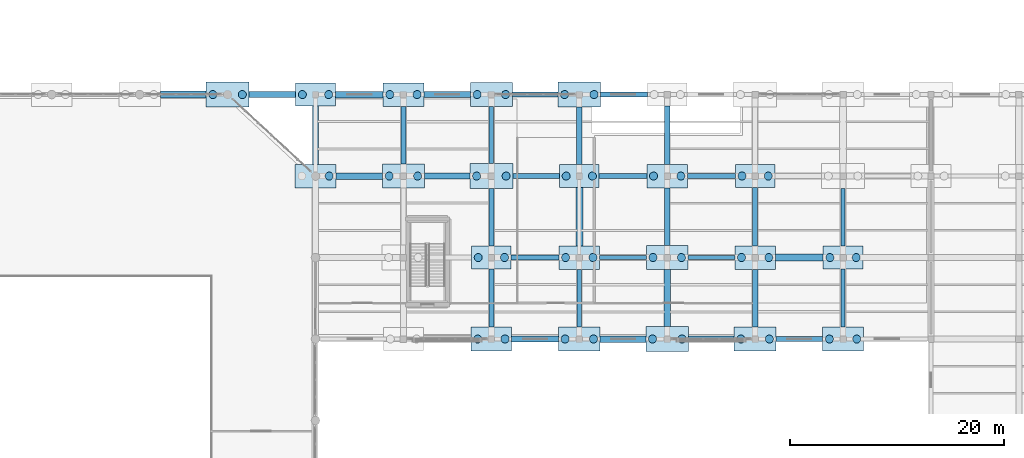
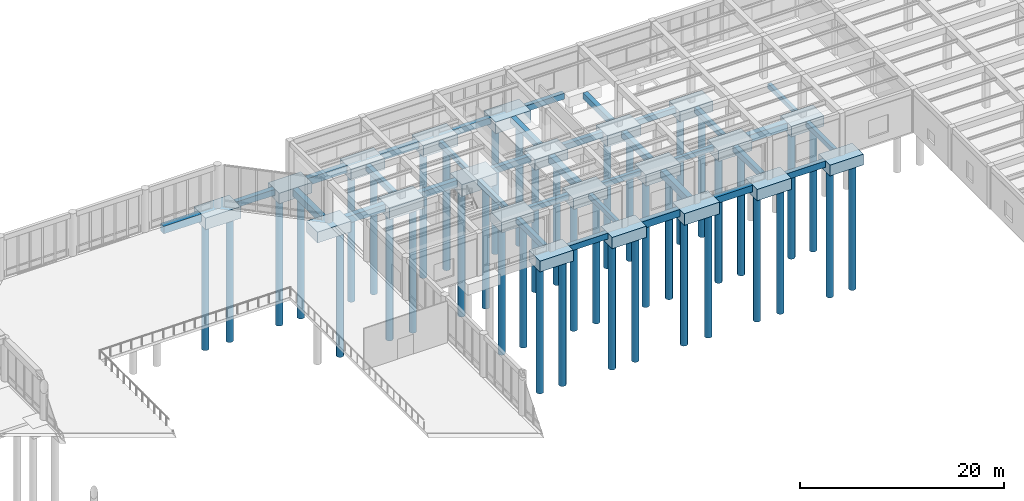
# One storey, part 4 of 64: 55 footings, 41 piles.
"""IFC4 building model written with IfcOpenShell, lengths in metres."""

from ifc_helpers import new_model, si_unit, direction, frame, origin, origin_2d, place, context, subcontext, project, spatial, rectangle, circle, extrude, material, material_profile, profile_set, type_object, element, save


model = new_model("IFC4")

# Units and contexts
model_context = context("Model", 3, precision=1e-05, world=origin(), true_north=direction((0.0, 1.0)))
body_context = subcontext(model_context, "Body", "Model", "MODEL_VIEW")
ifc_project = project(units=[si_unit("LENGTHUNIT", "METRE"), si_unit("AREAUNIT", "SQUARE_METRE"), si_unit("VOLUMEUNIT", "CUBIC_METRE"), si_unit("PLANEANGLEUNIT", "RADIAN"), si_unit("MASSUNIT", "GRAM", prefix="KILO")], contexts=[model_context])

# Site, building, storey
site_placement = place(None, origin())
site = spatial("IfcSite", under=ifc_project, at=site_placement, CompositionType="ELEMENT")
building_placement = place(site_placement, origin())
building = spatial("IfcBuilding", under=site, at=building_placement, Name="Qandaris Square Conservatory and Botanical Centre", CompositionType="ELEMENT")
storey_placement = place(building_placement, origin())
storey = spatial("IfcBuildingStorey", under=building, at=storey_placement, Name="L00", CompositionType="ELEMENT", Elevation=0.0)

# Piles
ifc_material_1 = material(Name="Concrete C50/60", Category="concrete")
ifc_material_profile_1 = material_profile(ifc_material_1, circle(Radius=0.375, at=origin_2d()), Name="PILE D750")
ifc_profile_set_1 = profile_set([ifc_material_profile_1], Name="Concrete C50/60")
pile_type = type_object("IfcPileType", Name="Bored Pile D750", PredefinedType="BORED", material=ifc_profile_set_1)
for number, where, z_axis, x_axis, name in (
    (1, (47.625, 115.39990234375, -1.300048828125), (0.0, 0.0, -1.0), (1.0, 0.0, 0.0), "Bored Pile Q6-1"),
    (2, (50.375, 115.39990234375, -1.300048828125), (0.0, 0.0, -1.0), (1.0, 0.0, 0.0), "Bored Pile Q6-2"),
):
    element("IfcPile", number, at=place(storey_placement, frame(where, z_axis=z_axis, x_axis=x_axis)), inside=storey, type_object=pile_type, Name=name, PredefinedType="BORED", context=body_context, shape_type="SweptSolid", body=[
        extrude(circle(Radius=0.375, at=origin_2d()), origin(), (0.0, 0.0, 1.0), 15.199951171875),
    ])
pile_placement = place(storey_placement, frame((58.47509765625, 107.800048828125, -1.199951171875), z_axis=(0.0, 0.0, -1.0), x_axis=(1.0, 0.0, 0.0)))
element("IfcPile", 3, at=pile_placement, inside=storey, type_object=pile_type, Name="Bored Pile P7-2", PredefinedType="BORED", context=body_context, shape_type="SweptSolid", body=[
    extrude(circle(Radius=0.375, at=origin_2d()), origin(), (0.0, 0.0, 1.0), 15.300048828125),
])
for number, where, z_axis, x_axis, name in (
    (4, (55.97509765625, 115.39990234375, -1.14990234375), (0.0, 0.0, -1.0), (1.0, 0.0, 0.0), "Bored Pile Q7-1"),
    (5, (58.425048828125, 115.39990234375, -1.14990234375), (0.0, 0.0, -1.0), (1.0, 0.0, 0.0), "Bored Pile Q7-2"),
):
    element("IfcPile", number, at=place(storey_placement, frame(where, z_axis=z_axis, x_axis=x_axis)), inside=storey, type_object=pile_type, Name=name, PredefinedType="BORED", context=body_context, shape_type="SweptSolid", body=[
        extrude(circle(Radius=0.375, at=origin_2d()), origin(), (0.0, 0.0, 1.0), 15.35009765625),
    ])
for number, where, z_axis, x_axis, name in (
    (6, (64.074951171875, 107.800048828125, -1.25), (0.0, 0.0, -1.0), (1.0, 0.0, 0.0), "Bored Pile P8-1"),
    (7, (66.72509765625, 107.800048828125, -1.25), (0.0, 0.0, -1.0), (1.0, 0.0, 0.0), "Bored Pile P8-2"),
):
    element("IfcPile", number, at=place(storey_placement, frame(where, z_axis=z_axis, x_axis=x_axis)), inside=storey, type_object=pile_type, Name=name, PredefinedType="BORED", context=body_context, shape_type="SweptSolid", body=[
        extrude(circle(Radius=0.375, at=origin_2d()), origin(), (0.0, 0.0, 1.0), 15.25),
    ])
for number, where, z_axis, x_axis, name in (
    (8, (64.125, 115.39990234375, -1.199951171875), (0.0, 0.0, -1.0), (1.0, 0.0, 0.0), "Bored Pile Q8-1"),
    (9, (66.675048828125, 115.39990234375, -1.199951171875), (0.0, 0.0, -1.0), (1.0, 0.0, 0.0), "Bored Pile Q8-2"),
    (10, (72.324951171875, 92.60009765625, -1.199951171875), (0.0, 0.0, -1.0), (1.0, 0.0, 0.0), "Bored Pile M9-1"),
    (11, (74.875, 92.60009765625, -1.199951171875), (0.0, 0.0, -1.0), (1.0, 0.0, 0.0), "Bored Pile M9-2"),
):
    element("IfcPile", number, at=place(storey_placement, frame(where, z_axis=z_axis, x_axis=x_axis)), inside=storey, type_object=pile_type, Name=name, PredefinedType="BORED", context=body_context, shape_type="SweptSolid", body=[
        extrude(circle(Radius=0.375, at=origin_2d()), origin(), (0.0, 0.0, 1.0), 15.300048828125),
    ])
for number, where, z_axis, x_axis, name in (
    (12, (72.375, 100.199951171875, -1.14990234375), (0.0, 0.0, -1.0), (1.0, 0.0, 0.0), "Bored Pile N9-1"),
    (13, (74.824951171875, 100.199951171875, -1.14990234375), (0.0, 0.0, -1.0), (1.0, 0.0, 0.0), "Bored Pile N9-2"),
):
    element("IfcPile", number, at=place(storey_placement, frame(where, z_axis=z_axis, x_axis=x_axis)), inside=storey, type_object=pile_type, Name=name, PredefinedType="BORED", context=body_context, shape_type="SweptSolid", body=[
        extrude(circle(Radius=0.375, at=origin_2d()), origin(), (0.0, 0.0, 1.0), 15.35009765625),
    ])
for number, where, z_axis, x_axis, name in (
    (14, (72.22509765625, 107.800048828125, -1.300048828125), (0.0, 0.0, -1.0), (1.0, 0.0, 0.0), "Bored Pile P9-1"),
    (15, (74.97509765625, 107.800048828125, -1.300048828125), (0.0, 0.0, -1.0), (1.0, 0.0, 0.0), "Bored Pile P9-2"),
):
    element("IfcPile", number, at=place(storey_placement, frame(where, z_axis=z_axis, x_axis=x_axis)), inside=storey, type_object=pile_type, Name=name, PredefinedType="BORED", context=body_context, shape_type="SweptSolid", body=[
        extrude(circle(Radius=0.375, at=origin_2d()), origin(), (0.0, 0.0, 1.0), 15.199951171875),
    ])
for number, where, z_axis, x_axis, name in (
    (16, (72.27490234375, 115.39990234375, -1.25), (0.0, 0.0, -1.0), (1.0, 0.0, 0.0), "Bored Pile Q9-1"),
    (17, (74.925048828125, 115.39990234375, -1.25), (0.0, 0.0, -1.0), (1.0, 0.0, 0.0), "Bored Pile Q9-2"),
    (18, (80.47509765625, 92.60009765625, -1.25), (0.0, 0.0, -1.0), (1.0, 0.0, 0.0), "Bored Pile M10-1"),
    (19, (83.125, 92.60009765625, -1.25), (0.0, 0.0, -1.0), (1.0, 0.0, 0.0), "Bored Pile M10-2"),
):
    element("IfcPile", number, at=place(storey_placement, frame(where, z_axis=z_axis, x_axis=x_axis)), inside=storey, type_object=pile_type, Name=name, PredefinedType="BORED", context=body_context, shape_type="SweptSolid", body=[
        extrude(circle(Radius=0.375, at=origin_2d()), origin(), (0.0, 0.0, 1.0), 15.25),
    ])
for number, where, z_axis, x_axis, name in (
    (20, (80.52490234375, 100.199951171875, -1.199951171875), (0.0, 0.0, -1.0), (1.0, 0.0, 0.0), "Bored Pile N10-1"),
    (21, (83.074951171875, 100.199951171875, -1.199951171875), (0.0, 0.0, -1.0), (1.0, 0.0, 0.0), "Bored Pile N10-2"),
):
    element("IfcPile", number, at=place(storey_placement, frame(where, z_axis=z_axis, x_axis=x_axis)), inside=storey, type_object=pile_type, Name=name, PredefinedType="BORED", context=body_context, shape_type="SweptSolid", body=[
        extrude(circle(Radius=0.375, at=origin_2d()), origin(), (0.0, 0.0, 1.0), 15.300048828125),
    ])
for number, where, z_axis, x_axis, name in (
    (22, (80.574951171875, 107.800048828125, -1.14990234375), (0.0, 0.0, -1.0), (1.0, 0.0, 0.0), "Bored Pile P10-1"),
    (23, (83.02490234375, 107.800048828125, -1.14990234375), (0.0, 0.0, -1.0), (1.0, 0.0, 0.0), "Bored Pile P10-2"),
):
    element("IfcPile", number, at=place(storey_placement, frame(where, z_axis=z_axis, x_axis=x_axis)), inside=storey, type_object=pile_type, Name=name, PredefinedType="BORED", context=body_context, shape_type="SweptSolid", body=[
        extrude(circle(Radius=0.375, at=origin_2d()), origin(), (0.0, 0.0, 1.0), 15.35009765625),
    ])
for number, where, z_axis, x_axis, name in (
    (24, (80.425048828125, 115.39990234375, -1.300048828125), (0.0, 0.0, -1.0), (1.0, 0.0, 0.0), "Bored Pile Q10-1"),
    (25, (83.175048828125, 115.39990234375, -1.300048828125), (0.0, 0.0, -1.0), (1.0, 0.0, 0.0), "Bored Pile Q10-2"),
    (26, (88.625, 92.60009765625, -1.300048828125), (0.0, 0.0, -1.0), (1.0, 0.0, 0.0), "Bored Pile M11-1"),
    (27, (91.375, 92.60009765625, -1.300048828125), (0.0, 0.0, -1.0), (1.0, 0.0, 0.0), "Bored Pile M11-2"),
):
    element("IfcPile", number, at=place(storey_placement, frame(where, z_axis=z_axis, x_axis=x_axis)), inside=storey, type_object=pile_type, Name=name, PredefinedType="BORED", context=body_context, shape_type="SweptSolid", body=[
        extrude(circle(Radius=0.375, at=origin_2d()), origin(), (0.0, 0.0, 1.0), 15.199951171875),
    ])
for number, where, z_axis, x_axis, name in (
    (28, (88.675048828125, 100.199951171875, -1.25), (0.0, 0.0, -1.0), (1.0, 0.0, 0.0), "Bored Pile N11-1"),
    (29, (91.324951171875, 100.199951171875, -1.25), (0.0, 0.0, -1.0), (1.0, 0.0, 0.0), "Bored Pile N11-2"),
):
    element("IfcPile", number, at=place(storey_placement, frame(where, z_axis=z_axis, x_axis=x_axis)), inside=storey, type_object=pile_type, Name=name, PredefinedType="BORED", context=body_context, shape_type="SweptSolid", body=[
        extrude(circle(Radius=0.375, at=origin_2d()), origin(), (0.0, 0.0, 1.0), 15.25),
    ])
for number, where, z_axis, x_axis, name in (
    (30, (88.72509765625, 107.800048828125, -1.199951171875), (0.0, 0.0, -1.0), (1.0, 0.0, 0.0), "Bored Pile P11-1"),
    (31, (91.27490234375, 107.800048828125, -1.199951171875), (0.0, 0.0, -1.0), (1.0, 0.0, 0.0), "Bored Pile P11-2"),
):
    element("IfcPile", number, at=place(storey_placement, frame(where, z_axis=z_axis, x_axis=x_axis)), inside=storey, type_object=pile_type, Name=name, PredefinedType="BORED", context=body_context, shape_type="SweptSolid", body=[
        extrude(circle(Radius=0.375, at=origin_2d()), origin(), (0.0, 0.0, 1.0), 15.300048828125),
    ])
for number, where, z_axis, x_axis, name in (
    (32, (96.875, 92.60009765625, -1.25), (0.0, 0.0, -1.0), (1.0, 0.0, 0.0), "Bored Pile M12-1"),
    (33, (99.52490234375, 92.60009765625, -1.25), (0.0, 0.0, -1.0), (1.0, 0.0, 0.0), "Bored Pile M12-2"),
):
    element("IfcPile", number, at=place(storey_placement, frame(where, z_axis=z_axis, x_axis=x_axis)), inside=storey, type_object=pile_type, Name=name, PredefinedType="BORED", context=body_context, shape_type="SweptSolid", body=[
        extrude(circle(Radius=0.375, at=origin_2d()), origin(), (0.0, 0.0, 1.0), 15.25),
    ])
for number, where, z_axis, x_axis, name in (
    (34, (96.925048828125, 100.199951171875, -1.199951171875), (0.0, 0.0, -1.0), (1.0, 0.0, 0.0), "Bored Pile N12-1"),
    (35, (99.47509765625, 100.199951171875, -1.199951171875), (0.0, 0.0, -1.0), (1.0, 0.0, 0.0), "Bored Pile N12-2"),
):
    element("IfcPile", number, at=place(storey_placement, frame(where, z_axis=z_axis, x_axis=x_axis)), inside=storey, type_object=pile_type, Name=name, PredefinedType="BORED", context=body_context, shape_type="SweptSolid", body=[
        extrude(circle(Radius=0.375, at=origin_2d()), origin(), (0.0, 0.0, 1.0), 15.300048828125),
    ])
for number, where, z_axis, x_axis, name in (
    (36, (96.97509765625, 107.800048828125, -1.14990234375), (0.0, 0.0, -1.0), (1.0, 0.0, 0.0), "Bored Pile P12-1"),
    (37, (99.425048828125, 107.800048828125, -1.14990234375), (0.0, 0.0, -1.0), (1.0, 0.0, 0.0), "Bored Pile P12-2"),
):
    element("IfcPile", number, at=place(storey_placement, frame(where, z_axis=z_axis, x_axis=x_axis)), inside=storey, type_object=pile_type, Name=name, PredefinedType="BORED", context=body_context, shape_type="SweptSolid", body=[
        extrude(circle(Radius=0.375, at=origin_2d()), origin(), (0.0, 0.0, 1.0), 15.35009765625),
    ])
for number, where, z_axis, x_axis, name in (
    (38, (105.125, 92.60009765625, -1.199951171875), (0.0, 0.0, -1.0), (1.0, 0.0, 0.0), "Bored Pile M13-1"),
    (39, (107.675048828125, 92.60009765625, -1.199951171875), (0.0, 0.0, -1.0), (1.0, 0.0, 0.0), "Bored Pile M13-2"),
):
    element("IfcPile", number, at=place(storey_placement, frame(where, z_axis=z_axis, x_axis=x_axis)), inside=storey, type_object=pile_type, Name=name, PredefinedType="BORED", context=body_context, shape_type="SweptSolid", body=[
        extrude(circle(Radius=0.375, at=origin_2d()), origin(), (0.0, 0.0, 1.0), 15.300048828125),
    ])
for number, where, z_axis, x_axis, name in (
    (40, (105.175048828125, 100.199951171875, -1.14990234375), (0.0, 0.0, -1.0), (1.0, 0.0, 0.0), "Bored Pile N13-1"),
    (41, (107.625, 100.199951171875, -1.14990234375), (0.0, 0.0, -1.0), (1.0, 0.0, 0.0), "Bored Pile N13-2"),
):
    element("IfcPile", number, at=place(storey_placement, frame(where, z_axis=z_axis, x_axis=x_axis)), inside=storey, type_object=pile_type, Name=name, PredefinedType="BORED", context=body_context, shape_type="SweptSolid", body=[
        extrude(circle(Radius=0.375, at=origin_2d()), origin(), (0.0, 0.0, 1.0), 15.35009765625),
    ])

# Footings
ifc_material_2 = material(Name="Concrete C40/50", Category="concrete")
ifc_material_profile_2 = material_profile(ifc_material_2, rectangle(XDim=0.60009765625, YDim=0.85009765625, at=origin_2d()), Name="FB 600x850")
ifc_profile_set_2 = profile_set([ifc_material_profile_2], Name="Concrete C40/50")
footing_type_1 = type_object("IfcFootingType", Name="RC Ground Tie Beam FB-01", PredefinedType="FOOTING_BEAM", material=ifc_profile_set_2)
footing_1_placement = place(storey_placement, frame((83.75, 92.60009765625, -0.425048828125), z_axis=(1.0, 0.0, 0.0), x_axis=(0.0, 1.0, 0.0)))
element("IfcFooting", 42, at=footing_1_placement, inside=storey, type_object=footing_type_1, Name="Ground Tie Beam FB-01-231", PredefinedType="FOOTING_BEAM", context=body_context, shape_type="SweptSolid", body=[
    extrude(rectangle(XDim=0.60009765625, YDim=0.85009765625, at=origin_2d()), origin(), (0.0, 0.0, 1.0), 4.25),
])
footing_2_placement = place(storey_placement, frame((59.10009765625, 107.800048828125, -0.425048828125), z_axis=(1.0, 0.0, 0.0), x_axis=(0.0, 1.0, 0.0)))
element("IfcFooting", 43, at=footing_2_placement, inside=storey, type_object=footing_type_1, Name="Ground Tie Beam FB-01-241", PredefinedType="FOOTING_BEAM", context=body_context, shape_type="SweptSolid", body=[
    extrude(rectangle(XDim=0.60009765625, YDim=0.85009765625, at=origin_2d()), origin(), (0.0, 0.0, 1.0), 4.349853515625),
])
footing_3_placement = place(storey_placement, frame((59.050048828125, 115.39990234375, -0.425048828125), z_axis=(1.0, 0.0, 0.0), x_axis=(0.0, 1.0, 0.0)))
element("IfcFooting", 44, at=footing_3_placement, inside=storey, type_object=footing_type_1, Name="Ground Tie Beam FB-01-261", PredefinedType="FOOTING_BEAM", context=body_context, shape_type="SweptSolid", body=[
    extrude(rectangle(XDim=0.60009765625, YDim=0.85009765625, at=origin_2d()), origin(), (0.0, 0.0, 1.0), 4.449951171875),
])
footing_4_placement = place(storey_placement, frame((57.199951171875, 108.89990234375, -0.425048828125), z_axis=(0.0, 1.0, 0.0), x_axis=(-1.0, 0.0, 0.0)))
element("IfcFooting", 45, at=footing_4_placement, inside=storey, type_object=footing_type_1, Name="Ground Tie Beam FB-01-321", PredefinedType="FOOTING_BEAM", context=body_context, shape_type="SweptSolid", body=[
    extrude(rectangle(XDim=0.60009765625, YDim=0.85009765625, at=origin_2d()), origin(), (0.0, 0.0, 1.0), 5.425048828125),
])
footing_5_placement = place(storey_placement, frame((90.0, 93.75, -0.425048828125), z_axis=(0.0, 1.0, 0.0), x_axis=(-1.0, 0.0, 0.0)))
element("IfcFooting", 46, at=footing_5_placement, inside=storey, type_object=footing_type_1, Name="Ground Tie Beam FB-01-331", PredefinedType="FOOTING_BEAM", context=body_context, shape_type="SweptSolid", body=[
    extrude(rectangle(XDim=0.60009765625, YDim=0.85009765625, at=origin_2d()), origin(), (0.0, 0.0, 1.0), 5.324951171875),
])
ifc_material_profile_3 = material_profile(ifc_material_2, rectangle(XDim=0.550048828125, YDim=0.800048828125, at=origin_2d()), Name="FB 550x800")
ifc_profile_set_3 = profile_set([ifc_material_profile_3], Name="Concrete C40/50")
footing_type_2 = type_object("IfcFootingType", Name="RC Ground Tie Beam FB-02", PredefinedType="FOOTING_BEAM", material=ifc_profile_set_3)
for number, where, z_axis, x_axis, name in (
    (47, (92.0, 92.60009765625, -0.39990234375), (1.0, 0.0, 0.0), (0.0, 1.0, 0.0), "Ground Tie Beam FB-02-232"),
    (48, (67.35009765625, 107.800048828125, -0.39990234375), (1.0, 0.0, 0.0), (0.0, 1.0, 0.0), "Ground Tie Beam FB-02-242"),
):
    element("IfcFooting", number, at=place(storey_placement, frame(where, z_axis=z_axis, x_axis=x_axis)), inside=storey, type_object=footing_type_2, Name=name, PredefinedType="FOOTING_BEAM", context=body_context, shape_type="SweptSolid", body=[
        extrude(rectangle(XDim=0.550048828125, YDim=0.800048828125, at=origin_2d()), origin(), (0.0, 0.0, 1.0), 4.25),
    ])
footing_6_placement = place(storey_placement, frame((67.300048828125, 115.39990234375, -0.39990234375), z_axis=(1.0, 0.0, 0.0), x_axis=(0.0, 1.0, 0.0)))
element("IfcFooting", 49, at=footing_6_placement, inside=storey, type_object=footing_type_2, Name="Ground Tie Beam FB-02-262", PredefinedType="FOOTING_BEAM", context=body_context, shape_type="SweptSolid", body=[
    extrude(rectangle(XDim=0.550048828125, YDim=0.800048828125, at=origin_2d()), origin(), (0.0, 0.0, 1.0), 4.349853515625),
])
footing_7_placement = place(storey_placement, frame((90.0, 101.324951171875, -0.39990234375), z_axis=(0.0, 1.0, 0.0), x_axis=(-1.0, 0.0, 0.0)))
element("IfcFooting", 50, at=footing_7_placement, inside=storey, type_object=footing_type_2, Name="Ground Tie Beam FB-02-332", PredefinedType="FOOTING_BEAM", context=body_context, shape_type="SweptSolid", body=[
    extrude(rectangle(XDim=0.550048828125, YDim=0.800048828125, at=origin_2d()), origin(), (0.0, 0.0, 1.0), 5.375),
])
ifc_material_profile_4 = material_profile(ifc_material_2, rectangle(XDim=0.5, YDim=0.75, at=origin_2d()), Name="FB 500x750")
ifc_profile_set_4 = profile_set([ifc_material_profile_4], Name="Concrete C40/50")
footing_type_3 = type_object("IfcFootingType", Name="RC Ground Tie Beam FB-03", PredefinedType="FOOTING_BEAM", material=ifc_profile_set_4)
footing_8_placement = place(storey_placement, frame((100.14990234375, 92.60009765625, -0.375), z_axis=(1.0, 0.0, 0.0), x_axis=(0.0, 1.0, 0.0)))
element("IfcFooting", 51, at=footing_8_placement, inside=storey, type_object=footing_type_3, Name="Ground Tie Beam FB-03-233", PredefinedType="FOOTING_BEAM", context=body_context, shape_type="SweptSolid", body=[
    extrude(rectangle(XDim=0.5, YDim=0.75, at=origin_2d()), origin(), (0.0, 0.0, 1.0), 4.35009765625),
])
footing_9_placement = place(storey_placement, frame((75.60009765625, 107.800048828125, -0.375), z_axis=(1.0, 0.0, 0.0), x_axis=(0.0, 1.0, 0.0)))
element("IfcFooting", 52, at=footing_9_placement, inside=storey, type_object=footing_type_3, Name="Ground Tie Beam FB-03-243", PredefinedType="FOOTING_BEAM", context=body_context, shape_type="SweptSolid", body=[
    extrude(rectangle(XDim=0.5, YDim=0.75, at=origin_2d()), origin(), (0.0, 0.0, 1.0), 4.349853515625),
])
footing_10_placement = place(storey_placement, frame((75.550048828125, 115.39990234375, -0.375), z_axis=(1.0, 0.0, 0.0), x_axis=(0.0, 1.0, 0.0)))
element("IfcFooting", 53, at=footing_10_placement, inside=storey, type_object=footing_type_3, Name="Ground Tie Beam FB-03-263", PredefinedType="FOOTING_BEAM", context=body_context, shape_type="SweptSolid", body=[
    extrude(rectangle(XDim=0.5, YDim=0.75, at=origin_2d()), origin(), (0.0, 0.0, 1.0), 4.25),
])
footing_11_placement = place(storey_placement, frame((90.0, 108.89990234375, -0.375), z_axis=(0.0, 1.0, 0.0), x_axis=(-1.0, 0.0, 0.0)))
element("IfcFooting", 54, at=footing_11_placement, inside=storey, type_object=footing_type_3, Name="Ground Tie Beam FB-03-333", PredefinedType="FOOTING_BEAM", context=body_context, shape_type="SweptSolid", body=[
    extrude(rectangle(XDim=0.5, YDim=0.75, at=origin_2d()), origin(), (0.0, 0.0, 1.0), 5.425048828125),
])
ifc_material_profile_5 = material_profile(ifc_material_2, rectangle(XDim=0.5, YDim=0.699951171875, at=origin_2d()), Name="FB 500x700")
ifc_profile_set_5 = profile_set([ifc_material_profile_5], Name="Concrete C40/50")
footing_type_4 = type_object("IfcFootingType", Name="RC Ground Tie Beam FB-04", PredefinedType="FOOTING_BEAM", material=ifc_profile_set_5)
footing_12_placement = place(storey_placement, frame((83.64990234375, 107.800048828125, -0.35009765625), z_axis=(1.0, 0.0, 0.0), x_axis=(0.0, 1.0, 0.0)))
element("IfcFooting", 55, at=footing_12_placement, inside=storey, type_object=footing_type_4, Name="Ground Tie Beam FB-04-244", PredefinedType="FOOTING_BEAM", context=body_context, shape_type="SweptSolid", body=[
    extrude(rectangle(XDim=0.5, YDim=0.699951171875, at=origin_2d()), origin(), (0.0, 0.0, 1.0), 4.4501953125),
])
footing_13_placement = place(storey_placement, frame((83.800048828125, 115.39990234375, -0.35009765625), z_axis=(1.0, 0.0, 0.0), x_axis=(0.0, 1.0, 0.0)))
element("IfcFooting", 56, at=footing_13_placement, inside=storey, type_object=footing_type_4, Name="Ground Tie Beam FB-04-264", PredefinedType="FOOTING_BEAM", context=body_context, shape_type="SweptSolid", body=[
    extrude(rectangle(XDim=0.5, YDim=0.699951171875, at=origin_2d()), origin(), (0.0, 0.0, 1.0), 4.349853515625),
])
for number, where, z_axis, x_axis, name in (
    (57, (65.39990234375, 108.925048828125, -0.35009765625), (0.0, 1.0, 0.0), (-1.0, 0.0, 0.0), "Ground Tie Beam FB-04-324"),
    (58, (98.199951171875, 93.72509765625, -0.35009765625), (0.0, 1.0, 0.0), (-1.0, 0.0, 0.0), "Ground Tie Beam FB-04-334"),
):
    element("IfcFooting", number, at=place(storey_placement, frame(where, z_axis=z_axis, x_axis=x_axis)), inside=storey, type_object=footing_type_4, Name=name, PredefinedType="FOOTING_BEAM", context=body_context, shape_type="SweptSolid", body=[
        extrude(rectangle(XDim=0.5, YDim=0.699951171875, at=origin_2d()), origin(), (0.0, 0.0, 1.0), 5.375),
    ])
ifc_material_profile_6 = material_profile(ifc_material_2, rectangle(XDim=0.449951171875, YDim=0.64990234375, at=origin_2d()), Name="FB 450x650")
ifc_profile_set_6 = profile_set([ifc_material_profile_6], Name="Concrete C40/50")
footing_type_5 = type_object("IfcFootingType", Name="RC Ground Tie Beam FB-05", PredefinedType="FOOTING_BEAM", material=ifc_profile_set_6)
footing_14_placement = place(storey_placement, frame((91.89990234375, 107.800048828125, -0.324951171875), z_axis=(1.0, 0.0, 0.0), x_axis=(0.0, 1.0, 0.0)))
element("IfcFooting", 59, at=footing_14_placement, inside=storey, type_object=footing_type_5, Name="Ground Tie Beam FB-05-245", PredefinedType="FOOTING_BEAM", context=body_context, shape_type="SweptSolid", body=[
    extrude(rectangle(XDim=0.449951171875, YDim=0.64990234375, at=origin_2d()), origin(), (0.0, 0.0, 1.0), 4.4501953125),
])
for number, where, z_axis, x_axis, name in (
    (60, (73.60009765625, 93.699951171875, -0.324951171875), (0.0, 1.0, 0.0), (-1.0, 0.0, 0.0), "Ground Tie Beam FB-05-325"),
    (61, (98.199951171875, 101.300048828125, -0.324951171875), (0.0, 1.0, 0.0), (-1.0, 0.0, 0.0), "Ground Tie Beam FB-05-335"),
):
    element("IfcFooting", number, at=place(storey_placement, frame(where, z_axis=z_axis, x_axis=x_axis)), inside=storey, type_object=footing_type_5, Name=name, PredefinedType="FOOTING_BEAM", context=body_context, shape_type="SweptSolid", body=[
        extrude(rectangle(XDim=0.449951171875, YDim=0.64990234375, at=origin_2d()), origin(), (0.0, 0.0, 1.0), 5.425048828125),
    ])
ifc_material_profile_7 = material_profile(ifc_material_2, rectangle(XDim=0.449951171875, YDim=0.60009765625, at=origin_2d()), Name="FB 450x600")
ifc_profile_set_7 = profile_set([ifc_material_profile_7], Name="Concrete C40/50")
footing_type_6 = type_object("IfcFootingType", Name="RC Ground Tie Beam FB-06", PredefinedType="FOOTING_BEAM", material=ifc_profile_set_7)
footing_15_placement = place(storey_placement, frame((75.449951171875, 100.199951171875, -0.300048828125), z_axis=(1.0, 0.0, 0.0), x_axis=(0.0, 1.0, 0.0)))
element("IfcFooting", 62, at=footing_15_placement, inside=storey, type_object=footing_type_6, Name="Ground Tie Beam FB-06-236", PredefinedType="FOOTING_BEAM", context=body_context, shape_type="SweptSolid", body=[
    extrude(rectangle(XDim=0.449951171875, YDim=0.60009765625, at=origin_2d()), origin(), (0.0, 0.0, 1.0), 4.449951171875),
])
footing_16_placement = place(storey_placement, frame((73.60009765625, 101.27490234375, -0.300048828125), z_axis=(0.0, 1.0, 0.0), x_axis=(-1.0, 0.0, 0.0)))
element("IfcFooting", 63, at=footing_16_placement, inside=storey, type_object=footing_type_6, Name="Ground Tie Beam FB-06-326", PredefinedType="FOOTING_BEAM", context=body_context, shape_type="SweptSolid", body=[
    extrude(rectangle(XDim=0.449951171875, YDim=0.60009765625, at=origin_2d()), origin(), (0.0, 0.0, 1.0), 5.375),
])
ifc_material_profile_8 = material_profile(ifc_material_2, rectangle(XDim=0.39990234375, YDim=0.60009765625, at=origin_2d()), Name="FB 400x600")
ifc_profile_set_8 = profile_set([ifc_material_profile_8], Name="Concrete C40/50")
footing_type_7 = type_object("IfcFootingType", Name="RC Ground Tie Beam FB-07", PredefinedType="FOOTING_BEAM", material=ifc_profile_set_8)
footing_17_placement = place(storey_placement, frame((83.699951171875, 100.199951171875, -0.300048828125), z_axis=(1.0, 0.0, 0.0), x_axis=(0.0, 1.0, 0.0)))
element("IfcFooting", 64, at=footing_17_placement, inside=storey, type_object=footing_type_7, Name="Ground Tie Beam FB-07-237", PredefinedType="FOOTING_BEAM", context=body_context, shape_type="SweptSolid", body=[
    extrude(rectangle(XDim=0.39990234375, YDim=0.60009765625, at=origin_2d()), origin(), (0.0, 0.0, 1.0), 4.35009765625),
])
footing_18_placement = place(storey_placement, frame((73.60009765625, 108.949951171875, -0.300048828125), z_axis=(0.0, 1.0, 0.0), x_axis=(-1.0, 0.0, 0.0)))
element("IfcFooting", 65, at=footing_18_placement, inside=storey, type_object=footing_type_7, Name="Ground Tie Beam FB-07-327", PredefinedType="FOOTING_BEAM", context=body_context, shape_type="SweptSolid", body=[
    extrude(rectangle(XDim=0.39990234375, YDim=0.60009765625, at=origin_2d()), origin(), (0.0, 0.0, 1.0), 5.324951171875),
])
footing_19_placement = place(storey_placement, frame((106.39990234375, 93.699951171875, -0.300048828125), z_axis=(0.0, 1.0, 0.0), x_axis=(-1.0, 0.0, 0.0)))
element("IfcFooting", 66, at=footing_19_placement, inside=storey, type_object=footing_type_7, Name="Ground Tie Beam FB-07-337", PredefinedType="FOOTING_BEAM", context=body_context, shape_type="SweptSolid", body=[
    extrude(rectangle(XDim=0.39990234375, YDim=0.60009765625, at=origin_2d()), origin(), (0.0, 0.0, 1.0), 5.425048828125),
])
ifc_material_profile_9 = material_profile(ifc_material_2, rectangle(XDim=0.39990234375, YDim=0.550048828125, at=origin_2d()), Name="FB 400x550")
ifc_profile_set_9 = profile_set([ifc_material_profile_9], Name="Concrete C40/50")
footing_type_8 = type_object("IfcFootingType", Name="RC Ground Tie Beam FB-08", PredefinedType="FOOTING_BEAM", material=ifc_profile_set_9)
footing_20_placement = place(storey_placement, frame((91.949951171875, 100.199951171875, -0.27490234375), z_axis=(1.0, 0.0, 0.0), x_axis=(0.0, 1.0, 0.0)))
element("IfcFooting", 67, at=footing_20_placement, inside=storey, type_object=footing_type_8, Name="Ground Tie Beam FB-08-238", PredefinedType="FOOTING_BEAM", context=body_context, shape_type="SweptSolid", body=[
    extrude(rectangle(XDim=0.39990234375, YDim=0.550048828125, at=origin_2d()), origin(), (0.0, 0.0, 1.0), 4.35009765625),
])
for number, where, z_axis, x_axis, name in (
    (68, (81.800048828125, 93.72509765625, -0.27490234375), (0.0, 1.0, 0.0), (-1.0, 0.0, 0.0), "Ground Tie Beam FB-08-328"),
    (69, (106.39990234375, 101.27490234375, -0.27490234375), (0.0, 1.0, 0.0), (-1.0, 0.0, 0.0), "Ground Tie Beam FB-08-338"),
):
    element("IfcFooting", number, at=place(storey_placement, frame(where, z_axis=z_axis, x_axis=x_axis)), inside=storey, type_object=footing_type_8, Name=name, PredefinedType="FOOTING_BEAM", context=body_context, shape_type="SweptSolid", body=[
        extrude(rectangle(XDim=0.39990234375, YDim=0.550048828125, at=origin_2d()), origin(), (0.0, 0.0, 1.0), 5.375),
    ])
ifc_material_profile_10 = material_profile(ifc_material_2, rectangle(XDim=0.64990234375, YDim=0.89990234375, at=origin_2d()), Name="FB 650x900")
ifc_profile_set_10 = profile_set([ifc_material_profile_10], Name="Concrete C40/50")
footing_type_9 = type_object("IfcFootingType", Name="RC Ground Tie Beam FB-09", PredefinedType="FOOTING_BEAM", material=ifc_profile_set_10)
footing_21_placement = place(storey_placement, frame((100.10009765625, 100.199951171875, -0.449951171875), z_axis=(1.0, 0.0, 0.0), x_axis=(0.0, 1.0, 0.0)))
element("IfcFooting", 70, at=footing_21_placement, inside=storey, type_object=footing_type_9, Name="Ground Tie Beam FB-09-239", PredefinedType="FOOTING_BEAM", context=body_context, shape_type="SweptSolid", body=[
    extrude(rectangle(XDim=0.64990234375, YDim=0.89990234375, at=origin_2d()), origin(), (0.0, 0.0, 1.0), 4.449951171875),
])
footing_22_placement = place(storey_placement, frame((42.75, 115.39990234375, -0.449951171875), z_axis=(1.0, 0.0, 0.0), x_axis=(0.0, 1.0, 0.0)))
element("IfcFooting", 71, at=footing_22_placement, inside=storey, type_object=footing_type_9, Name="Ground Tie Beam FB-09-259", PredefinedType="FOOTING_BEAM", context=body_context, shape_type="SweptSolid", body=[
    extrude(rectangle(XDim=0.64990234375, YDim=0.89990234375, at=origin_2d()), origin(), (0.0, 0.0, 1.0), 4.25),
])
footing_23_placement = place(storey_placement, frame((81.800048828125, 101.300048828125, -0.449951171875), z_axis=(0.0, 1.0, 0.0), x_axis=(-1.0, 0.0, 0.0)))
element("IfcFooting", 72, at=footing_23_placement, inside=storey, type_object=footing_type_9, Name="Ground Tie Beam FB-09-329", PredefinedType="FOOTING_BEAM", context=body_context, shape_type="SweptSolid", body=[
    extrude(rectangle(XDim=0.64990234375, YDim=0.89990234375, at=origin_2d()), origin(), (0.0, 0.0, 1.0), 5.425048828125),
])
ifc_material_profile_11 = material_profile(ifc_material_2, rectangle(XDim=0.550048828125, YDim=0.699951171875, at=origin_2d()), Name="FB 550x700")
ifc_profile_set_11 = profile_set([ifc_material_profile_11], Name="Concrete C40/50")
footing_type_10 = type_object("IfcFootingType", Name="RC Ground Tie Beam FB-10", PredefinedType="FOOTING_BEAM", material=ifc_profile_set_11)
for number, where, z_axis, x_axis, name in (
    (73, (75.5, 92.60009765625, -0.35009765625), (1.0, 0.0, 0.0), (0.0, 1.0, 0.0), "Ground Tie Beam FB-10-230"),
    (74, (51.0, 115.39990234375, -0.35009765625), (1.0, 0.0, 0.0), (0.0, 1.0, 0.0), "Ground Tie Beam FB-10-260"),
):
    element("IfcFooting", number, at=place(storey_placement, frame(where, z_axis=z_axis, x_axis=x_axis)), inside=storey, type_object=footing_type_10, Name=name, PredefinedType="FOOTING_BEAM", context=body_context, shape_type="SweptSolid", body=[
        extrude(rectangle(XDim=0.550048828125, YDim=0.699951171875, at=origin_2d()), origin(), (0.0, 0.0, 1.0), 4.35009765625),
    ])
footing_24_placement = place(storey_placement, frame((81.800048828125, 108.875, -0.35009765625), z_axis=(0.0, 1.0, 0.0), x_axis=(-1.0, 0.0, 0.0)))
element("IfcFooting", 75, at=footing_24_placement, inside=storey, type_object=footing_type_10, Name="Ground Tie Beam FB-10-330", PredefinedType="FOOTING_BEAM", context=body_context, shape_type="SweptSolid", body=[
    extrude(rectangle(XDim=0.550048828125, YDim=0.699951171875, at=origin_2d()), origin(), (0.0, 0.0, 1.0), 5.375),
])
footing_type_11 = type_object("IfcFootingType", Name="RC Pile Cap PC-09", PredefinedType="PILE_CAP", material=ifc_material_2)
for number, where, z_axis, x_axis, name in (
    (76, (49.0, 115.39990234375, -1.39990234375), (0.0, 0.0, 1.0), (1.0, 0.0, 0.0), "Pile Cap PC-09 at Q6"),
    (77, (73.60009765625, 107.800048828125, -1.39990234375), (0.0, 0.0, 1.0), (1.0, 0.0, 0.0), "Pile Cap PC-09 at P9"),
    (78, (81.800048828125, 115.39990234375, -1.39990234375), (0.0, 0.0, 1.0), (1.0, 0.0, 0.0), "Pile Cap PC-09 at Q10"),
    (79, (90.0, 92.60009765625, -1.39990234375), (0.0, 0.0, 1.0), (1.0, 0.0, 0.0), "Pile Cap PC-09 at M11"),
):
    element("IfcFooting", number, at=place(storey_placement, frame(where, z_axis=z_axis, x_axis=x_axis)), inside=storey, type_object=footing_type_11, Name=name, PredefinedType="PILE_CAP", context=body_context, shape_type="SweptSolid", body=[
        extrude(rectangle(XDim=4.0, YDim=2.300048828125, at=origin_2d()), origin(), (0.0, 0.0, 1.0), 1.39990234375),
    ])
footing_type_12 = type_object("IfcFootingType", Name="RC Pile Cap PC-10", PredefinedType="PILE_CAP", material=ifc_material_2)
for number, where, z_axis, x_axis, name in (
    (80, (65.39990234375, 107.800048828125, -1.35009765625), (0.0, 0.0, 1.0), (1.0, 0.0, 0.0), "Pile Cap PC-10 at P8"),
    (81, (73.60009765625, 115.39990234375, -1.35009765625), (0.0, 0.0, 1.0), (1.0, 0.0, 0.0), "Pile Cap PC-10 at Q9"),
    (82, (81.800048828125, 92.60009765625, -1.35009765625), (0.0, 0.0, 1.0), (1.0, 0.0, 0.0), "Pile Cap PC-10 at M10"),
    (83, (90.0, 100.199951171875, -1.35009765625), (0.0, 0.0, 1.0), (1.0, 0.0, 0.0), "Pile Cap PC-10 at N11"),
    (84, (98.199951171875, 92.60009765625, -1.35009765625), (0.0, 0.0, 1.0), (1.0, 0.0, 0.0), "Pile Cap PC-10 at M12"),
):
    element("IfcFooting", number, at=place(storey_placement, frame(where, z_axis=z_axis, x_axis=x_axis)), inside=storey, type_object=footing_type_12, Name=name, PredefinedType="PILE_CAP", context=body_context, shape_type="SweptSolid", body=[
        extrude(rectangle(XDim=3.89990234375, YDim=2.25, at=origin_2d()), origin(), (0.0, 0.0, 1.0), 1.35009765625),
    ])
footing_type_13 = type_object("IfcFootingType", Name="RC Pile Cap PC-11", PredefinedType="PILE_CAP", material=ifc_material_2)
for number, where, z_axis, x_axis, name in (
    (85, (57.199951171875, 107.800048828125, -1.2998046875), (0.0, 0.0, 1.0), (1.0, 0.0, 0.0), "Pile Cap PC-11 at P7"),
    (86, (65.39990234375, 115.39990234375, -1.2998046875), (0.0, 0.0, 1.0), (1.0, 0.0, 0.0), "Pile Cap PC-11 at Q8"),
    (87, (73.60009765625, 92.60009765625, -1.2998046875), (0.0, 0.0, 1.0), (1.0, 0.0, 0.0), "Pile Cap PC-11 at M9"),
    (88, (81.800048828125, 100.199951171875, -1.2998046875), (0.0, 0.0, 1.0), (1.0, 0.0, 0.0), "Pile Cap PC-11 at N10"),
    (89, (90.0, 107.800048828125, -1.2998046875), (0.0, 0.0, 1.0), (1.0, 0.0, 0.0), "Pile Cap PC-11 at P11"),
    (90, (98.199951171875, 100.199951171875, -1.2998046875), (0.0, 0.0, 1.0), (1.0, 0.0, 0.0), "Pile Cap PC-11 at N12"),
    (91, (106.39990234375, 92.60009765625, -1.2998046875), (0.0, 0.0, 1.0), (1.0, 0.0, 0.0), "Pile Cap PC-11 at M13"),
):
    element("IfcFooting", number, at=place(storey_placement, frame(where, z_axis=z_axis, x_axis=x_axis)), inside=storey, type_object=footing_type_13, Name=name, PredefinedType="PILE_CAP", context=body_context, shape_type="SweptSolid", body=[
        extrude(rectangle(XDim=3.800048828125, YDim=2.199951171875, at=origin_2d()), origin(), (0.0, 0.0, 1.0), 1.300048828125),
    ])
footing_type_14 = type_object("IfcFootingType", Name="RC Pile Cap PC-12", PredefinedType="PILE_CAP", material=ifc_material_2)
for number, where, z_axis, x_axis, name in (
    (92, (57.199951171875, 115.39990234375, -1.25), (0.0, 0.0, 1.0), (1.0, 0.0, 0.0), "Pile Cap PC-12 at Q7"),
    (93, (73.60009765625, 100.199951171875, -1.25), (0.0, 0.0, 1.0), (1.0, 0.0, 0.0), "Pile Cap PC-12 at N9"),
    (94, (81.800048828125, 107.800048828125, -1.25), (0.0, 0.0, 1.0), (1.0, 0.0, 0.0), "Pile Cap PC-12 at P10"),
    (95, (98.199951171875, 107.800048828125, -1.25), (0.0, 0.0, 1.0), (1.0, 0.0, 0.0), "Pile Cap PC-12 at P12"),
    (96, (106.39990234375, 100.199951171875, -1.25), (0.0, 0.0, 1.0), (1.0, 0.0, 0.0), "Pile Cap PC-12 at N13"),
):
    element("IfcFooting", number, at=place(storey_placement, frame(where, z_axis=z_axis, x_axis=x_axis)), inside=storey, type_object=footing_type_14, Name=name, PredefinedType="PILE_CAP", context=body_context, shape_type="SweptSolid", body=[
        extrude(rectangle(XDim=3.699951171875, YDim=2.14990234375, at=origin_2d()), origin(), (0.0, 0.0, 1.0), 1.25),
    ])

save(model, "model.ifc")
